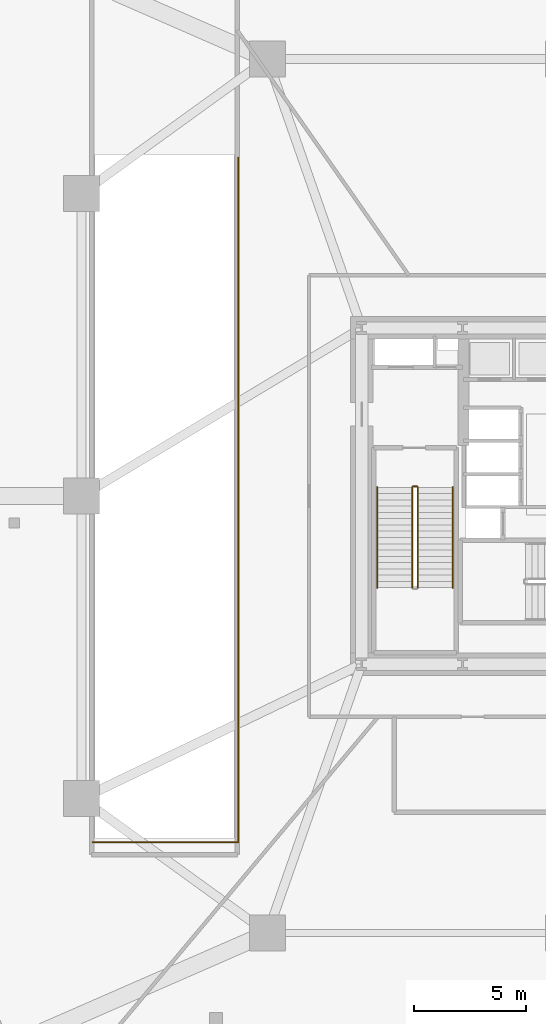
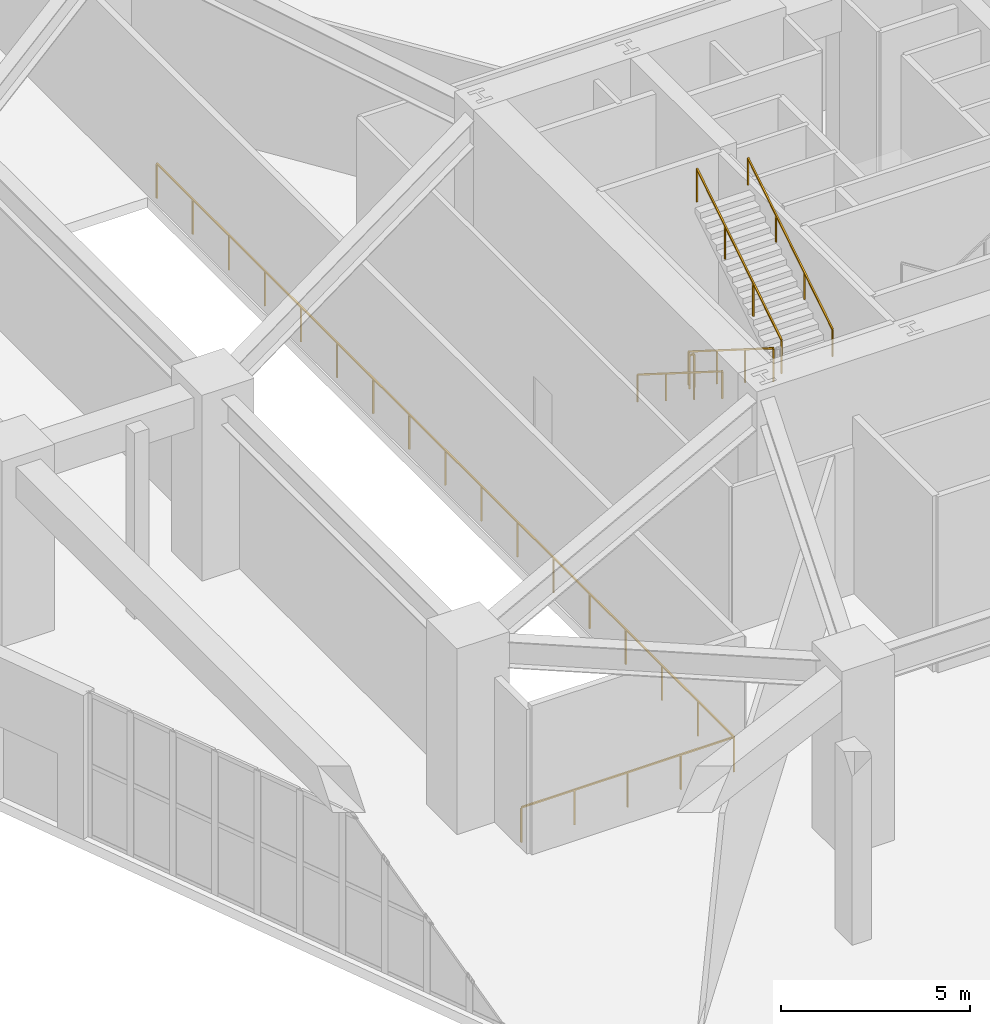
# One storey, part 31 of 35: 6 railings.
"""IFC4 building model written with IfcOpenShell, lengths in metres."""

from ifc_helpers import new_model, si_unit, direction, frame, origin, origin_2d, place, context, subcontext, project, spatial, rectangle, extrude, material, layer, layer_set, type_object, element, save


model = new_model("IFC4")

# Units and contexts
model_context = context("Model", 3, precision=1e-05, world=origin(), true_north=direction((0.0, 1.0)))
body_context = subcontext(model_context, "Body", "Model", "MODEL_VIEW")
ifc_project = project(units=[si_unit("LENGTHUNIT", "METRE"), si_unit("AREAUNIT", "SQUARE_METRE"), si_unit("VOLUMEUNIT", "CUBIC_METRE"), si_unit("PLANEANGLEUNIT", "RADIAN"), si_unit("MASSUNIT", "GRAM", prefix="KILO")], contexts=[model_context])

# Site, building, storey
site_placement = place(None, origin())
site = spatial("IfcSite", under=ifc_project, at=site_placement, CompositionType="ELEMENT")
building_placement = place(site_placement, origin())
building = spatial("IfcBuilding", under=site, at=building_placement, Name="Kilnhurst Terrace Hotel", CompositionType="ELEMENT")
storey_placement = place(building_placement, origin())
storey = spatial("IfcBuildingStorey", under=building, at=storey_placement, Name="L00", CompositionType="ELEMENT", Elevation=0.0)

# Railings
ifc_material_1 = material(Name="Painted Structural Steel ASTM A500 Grade C Guardrail", Category="steel")
ifc_layer_1 = layer(ifc_material_1, 0.080078125, Name="Painted Structural Steel ASTM A500 Grade C Guardrail")
ifc_layer_set_1 = layer_set([ifc_layer_1], Name="Painted Structural Steel ASTM A500 Grade C Guardrail")
railing_type_1 = type_object("IfcRailingType", Name="RLG-RMP-1150", PredefinedType="GUARDRAIL", material=ifc_layer_set_1)
railing_1_placement = place(storey_placement, frame((-21.0, -15.449951171875, 0.0)))
element("IfcRailing", 1, at=railing_1_placement, inside=storey, type_object=railing_type_1, Name="L00 Car Park Ramp Well Guardrail", PredefinedType="GUARDRAIL", context=body_context, shape_type="SweptSolid", body=[
    extrude(rectangle(XDim=0.048095703125, YDim=0.048095703125, at=origin_2d()), frame((0.0, 0.0, 1.1259765625), z_axis=(1.0, 0.0, 0.0), x_axis=(0.0, 1.0, 0.0)), (0.0, 0.0, 1.0), 6.5),
    extrude(rectangle(XDim=0.048095703125, YDim=0.048095703125, at=origin_2d()), frame((6.5, 0.0, 1.1259765625), z_axis=(0.0, 1.0, 0.0), x_axis=(-1.0, 0.0, 0.0)), (0.0, 0.0, 1.0), 30.550048828125),
    extrude(rectangle(XDim=0.0419921875, YDim=0.0419921875, at=origin_2d()), origin(), (0.0, 0.0, 1.0), 1.101806640625),
    extrude(rectangle(XDim=0.0419921875, YDim=0.0419921875, at=origin_2d()), frame((1.625, 0.0, 0.0)), (0.0, 0.0, 1.0), 1.101806640625),
    extrude(rectangle(XDim=0.0419921875, YDim=0.0419921875, at=origin_2d()), frame((3.25, 0.0, 0.0)), (0.0, 0.0, 1.0), 1.101806640625),
    extrude(rectangle(XDim=0.0419921875, YDim=0.0419921875, at=origin_2d()), frame((4.875, 0.0, 0.0)), (0.0, 0.0, 1.0), 1.101806640625),
    extrude(rectangle(XDim=0.0419921875, YDim=0.0419921875, at=origin_2d()), frame((6.5, 0.0, 0.0)), (0.0, 0.0, 1.0), 1.101806640625),
    extrude(rectangle(XDim=0.0419921875, YDim=0.0419921875, at=origin_2d()), frame((6.5, 1.909423828125, 0.0)), (0.0, 0.0, 1.0), 1.101806640625),
    extrude(rectangle(XDim=0.0419921875, YDim=0.0419921875, at=origin_2d()), frame((6.5, 3.81884765625, 0.0)), (0.0, 0.0, 1.0), 1.101806640625),
    extrude(rectangle(XDim=0.0419921875, YDim=0.0419921875, at=origin_2d()), frame((6.5, 5.72802734375, 0.0)), (0.0, 0.0, 1.0), 1.101806640625),
    extrude(rectangle(XDim=0.0419921875, YDim=0.0419921875, at=origin_2d()), frame((6.5, 7.637451171875, 0.0)), (0.0, 0.0, 1.0), 1.101806640625),
    extrude(rectangle(XDim=0.0419921875, YDim=0.0419921875, at=origin_2d()), frame((6.5, 9.546875, 0.0)), (0.0, 0.0, 1.0), 1.101806640625),
    extrude(rectangle(XDim=0.0419921875, YDim=0.0419921875, at=origin_2d()), frame((6.5, 11.456298828125, 0.0)), (0.0, 0.0, 1.0), 1.101806640625),
    extrude(rectangle(XDim=0.0419921875, YDim=0.0419921875, at=origin_2d()), frame((6.5, 13.36572265625, 0.0)), (0.0, 0.0, 1.0), 1.101806640625),
    extrude(rectangle(XDim=0.0419921875, YDim=0.0419921875, at=origin_2d()), frame((6.5, 15.27490234375, 0.0)), (0.0, 0.0, 1.0), 1.101806640625),
    extrude(rectangle(XDim=0.0419921875, YDim=0.0419921875, at=origin_2d()), frame((6.5, 17.184326171875, 0.0)), (0.0, 0.0, 1.0), 1.101806640625),
    extrude(rectangle(XDim=0.0419921875, YDim=0.0419921875, at=origin_2d()), frame((6.5, 19.09375, 0.0)), (0.0, 0.0, 1.0), 1.101806640625),
    extrude(rectangle(XDim=0.0419921875, YDim=0.0419921875, at=origin_2d()), frame((6.5, 21.003173828125, 0.0)), (0.0, 0.0, 1.0), 1.101806640625),
    extrude(rectangle(XDim=0.0419921875, YDim=0.0419921875, at=origin_2d()), frame((6.5, 22.91259765625, 0.0)), (0.0, 0.0, 1.0), 1.101806640625),
    extrude(rectangle(XDim=0.0419921875, YDim=0.0419921875, at=origin_2d()), frame((6.5, 24.822021484375, 0.0)), (0.0, 0.0, 1.0), 1.101806640625),
    extrude(rectangle(XDim=0.0419921875, YDim=0.0419921875, at=origin_2d()), frame((6.5, 26.731201171875, 0.0)), (0.0, 0.0, 1.0), 1.101806640625),
    extrude(rectangle(XDim=0.0419921875, YDim=0.0419921875, at=origin_2d()), frame((6.5, 28.640625, 0.0)), (0.0, 0.0, 1.0), 1.101806640625),
    extrude(rectangle(XDim=0.0419921875, YDim=0.0419921875, at=origin_2d()), frame((6.5, 30.550048828125, 0.0)), (0.0, 0.0, 1.0), 1.101806640625),
])
ifc_material_2 = material(Name="Powder-Coated Steel ASTM A500 Grade B", Category="steel")
ifc_layer_2 = layer(ifc_material_2, 0.050048828125, Name="Powder-Coated Steel ASTM A500 Grade B")
ifc_layer_set_2 = layer_set([ifc_layer_2], Name="Powder-Coated Steel ASTM A500 Grade B")
railing_type_2 = type_object("IfcRailingType", Name="RLG-ST-GRD-1100", PredefinedType="GUARDRAIL", material=ifc_layer_set_2)
railing_2_placement = place(storey_placement, frame((-6.739990234375, 0.389892578125, 0.176513671875)))
element("IfcRailing", 2, at=railing_2_placement, inside=storey, type_object=railing_type_2, Name="L00 ST-1 stair guard 1", PredefinedType="GUARDRAIL", context=body_context, shape_type="SweptSolid", body=[
    extrude(rectangle(XDim=0.048095703125, YDim=0.048095703125, at=origin_2d()), frame((0.0, 0.0, 1.076171875), z_axis=(0.0, -0.845997938375, 0.533186166611), x_axis=(1.0, 0.0, 0.0)), (0.0, 0.0, 1.0), 5.29541015625),
    extrude(rectangle(XDim=0.0419921875, YDim=0.0419921875, at=origin_2d()), origin(), (0.0, 0.0, 1.0), 1.052001953125),
    extrude(rectangle(XDim=0.0419921875, YDim=0.0419921875, at=origin_2d()), frame((0.0, -1.493408203125, 0.941162109375)), (0.0, 0.0, 1.0), 1.052001953125),
    extrude(rectangle(XDim=0.0419921875, YDim=0.0419921875, at=origin_2d()), frame((0.0, -2.986572265625, 1.88232421875)), (0.0, 0.0, 1.0), 1.052001953125),
    extrude(rectangle(XDim=0.0419921875, YDim=0.0419921875, at=origin_2d()), frame((0.0, -4.47998046875, 2.823486328125)), (0.0, 0.0, 1.0), 1.052001953125),
])
railing_3_placement = place(storey_placement, frame((-6.489990234375, -4.090087890625, 3.176513671875)))
element("IfcRailing", 3, at=railing_3_placement, inside=storey, type_object=railing_type_2, Name="L00 ST-1 stair guard 3", PredefinedType="GUARDRAIL", context=body_context, shape_type="SweptSolid", body=[
    extrude(rectangle(XDim=0.048095703125, YDim=0.048095703125, at=origin_2d()), frame((0.0, 0.0, 1.076171875), z_axis=(0.0, 0.845997938375, 0.533186166611), x_axis=(-1.0, 0.0, 0.0)), (0.0, 0.0, 1.0), 5.29541015625),
    extrude(rectangle(XDim=0.0419921875, YDim=0.0419921875, at=origin_2d()), origin(), (0.0, 0.0, 1.0), 1.052001953125),
    extrude(rectangle(XDim=0.0419921875, YDim=0.0419921875, at=origin_2d()), frame((0.0, 1.493408203125, 0.941162109375)), (0.0, 0.0, 1.0), 1.052001953125),
    extrude(rectangle(XDim=0.0419921875, YDim=0.0419921875, at=origin_2d()), frame((0.0, 2.986572265625, 1.88232421875)), (0.0, 0.0, 1.0), 1.052001953125),
    extrude(rectangle(XDim=0.0419921875, YDim=0.0419921875, at=origin_2d()), frame((0.0, 4.47998046875, 2.823486328125)), (0.0, 0.0, 1.0), 1.052001953125),
])
railing_4_placement = place(storey_placement, frame((-6.68994140625, 0.43994140625, 0.0)))
element("IfcRailing", 4, at=railing_4_placement, inside=storey, type_object=railing_type_2, Name="L00 ST-1 stair guard 4", PredefinedType="GUARDRAIL", context=body_context, shape_type="SweptSolid", body=[
    extrude(rectangle(XDim=0.048095703125, YDim=0.048095703125, at=origin_2d()), frame((0.0, 0.0, 1.076171875), z_axis=(1.0, 0.0, 0.0), x_axis=(0.0, 1.0, 0.0)), (0.0, 0.0, 1.0), 0.14990234375),
    extrude(rectangle(XDim=0.0419921875, YDim=0.0419921875, at=origin_2d()), origin(), (0.0, 0.0, 1.0), 1.052001953125),
    extrude(rectangle(XDim=0.0419921875, YDim=0.0419921875, at=origin_2d()), frame((0.14990234375, 0.0, 0.0)), (0.0, 0.0, 1.0), 1.052001953125),
])
ifc_material_3 = material(Name="Brushed Stainless Steel AISI 304", Category="steel")
ifc_layer_3 = layer(ifc_material_3, 0.048095703125, Name="Brushed Stainless Steel AISI 304")
ifc_layer_set_3 = layer_set([ifc_layer_3], Name="Brushed Stainless Steel AISI 304")
railing_type_3 = type_object("IfcRailingType", Name="RLG-ST-HRL-900", PredefinedType="HANDRAIL", material=ifc_layer_set_3)
railing_5_placement = place(storey_placement, frame((-8.300048828125, 0.389892578125, 0.176513671875)))
element("IfcRailing", 5, at=railing_5_placement, inside=storey, type_object=railing_type_3, Name="L00 ST-1 stair handrail 1", PredefinedType="HANDRAIL", context=body_context, shape_type="SweptSolid", body=[
    extrude(rectangle(XDim=0.048095703125, YDim=0.048095703125, at=origin_2d()), frame((0.0, 0.0, 0.8759765625), z_axis=(0.0, -0.845997938375, 0.533186166611), x_axis=(1.0, 0.0, 0.0)), (0.0, 0.0, 1.0), 5.29541015625),
    extrude(rectangle(XDim=0.0419921875, YDim=0.0419921875, at=origin_2d()), origin(), (0.0, 0.0, 1.0), 0.851806640625),
    extrude(rectangle(XDim=0.0419921875, YDim=0.0419921875, at=origin_2d()), frame((0.0, -1.493408203125, 0.941162109375)), (0.0, 0.0, 1.0), 0.851806640625),
    extrude(rectangle(XDim=0.0419921875, YDim=0.0419921875, at=origin_2d()), frame((0.0, -2.986572265625, 1.88232421875)), (0.0, 0.0, 1.0), 0.851806640625),
    extrude(rectangle(XDim=0.0419921875, YDim=0.0419921875, at=origin_2d()), frame((0.0, -4.47998046875, 2.823486328125)), (0.0, 0.0, 1.0), 0.851806640625),
])
railing_6_placement = place(storey_placement, frame((-4.929931640625, -4.090087890625, 3.176513671875)))
element("IfcRailing", 6, at=railing_6_placement, inside=storey, type_object=railing_type_3, Name="L00 ST-1 stair handrail 2", PredefinedType="HANDRAIL", context=body_context, shape_type="SweptSolid", body=[
    extrude(rectangle(XDim=0.048095703125, YDim=0.048095703125, at=origin_2d()), frame((0.0, 0.0, 0.8759765625), z_axis=(0.0, 0.845997938375, 0.533186166611), x_axis=(-1.0, 0.0, 0.0)), (0.0, 0.0, 1.0), 5.29541015625),
    extrude(rectangle(XDim=0.0419921875, YDim=0.0419921875, at=origin_2d()), origin(), (0.0, 0.0, 1.0), 0.851806640625),
    extrude(rectangle(XDim=0.0419921875, YDim=0.0419921875, at=origin_2d()), frame((0.0, 1.493408203125, 0.941162109375)), (0.0, 0.0, 1.0), 0.851806640625),
    extrude(rectangle(XDim=0.0419921875, YDim=0.0419921875, at=origin_2d()), frame((0.0, 2.986572265625, 1.88232421875)), (0.0, 0.0, 1.0), 0.851806640625),
    extrude(rectangle(XDim=0.0419921875, YDim=0.0419921875, at=origin_2d()), frame((0.0, 4.47998046875, 2.823486328125)), (0.0, 0.0, 1.0), 0.851806640625),
])

save(model, "model.ifc")
